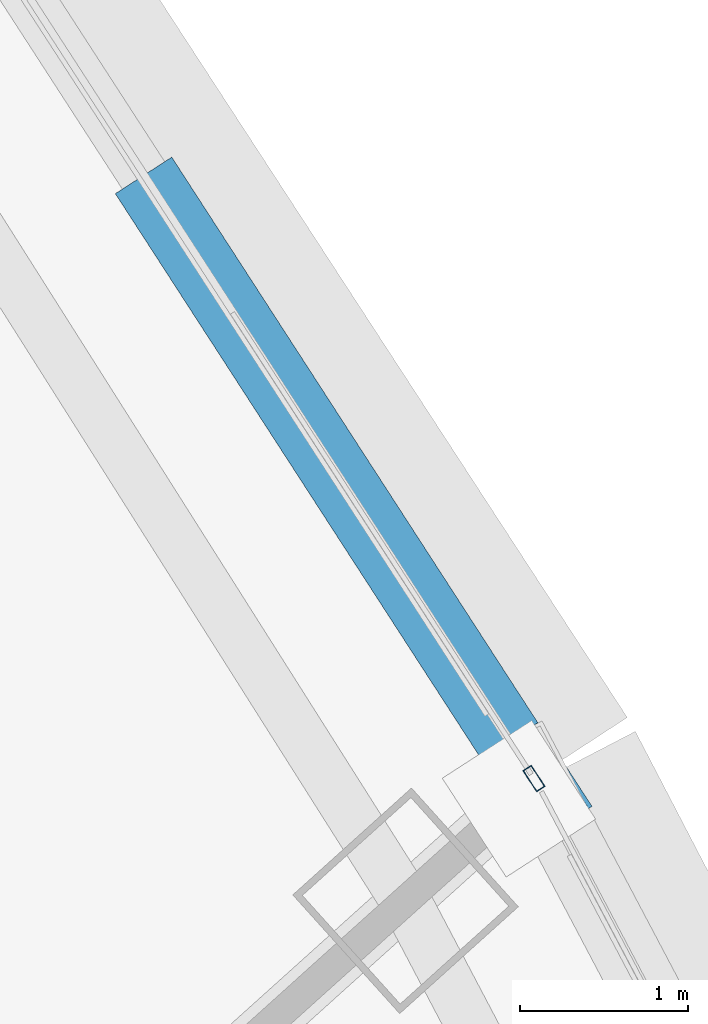
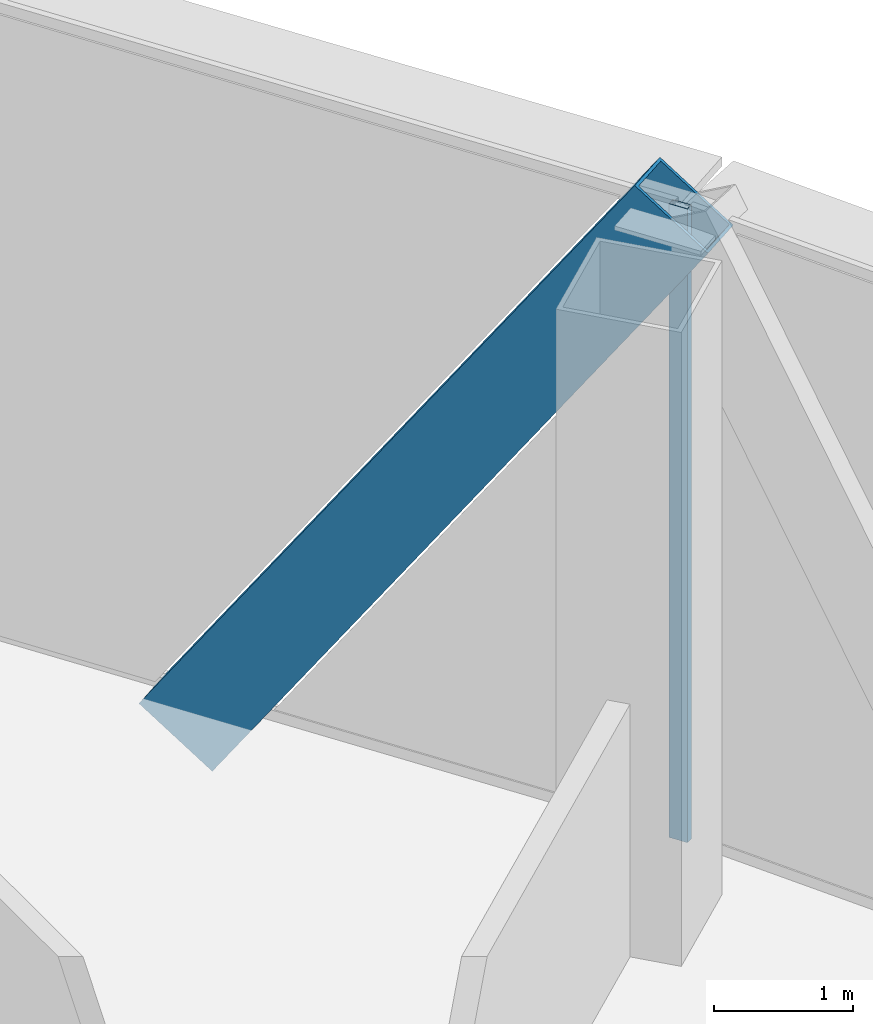
# One storey, part 20 of 40: 2 members, 1 element without a shape of its own.
"""IFC4 building model written with IfcOpenShell, lengths in metres."""

from ifc_helpers import new_model, si_unit, direction, frame, origin, origin_2d, place, context, subcontext, project, spatial, hollow_rectangle, extrude, source, transform, mapped, material, layer, layer_set, material_profile, profile_set, type_object, element, aggregate, save


model = new_model("IFC4")

# Units and contexts
model_context = context("Model", 3, precision=1e-05, world=origin(), true_north=direction((0.0, 1.0)))
body_context = subcontext(model_context, "Body", "Model", "MODEL_VIEW")
ifc_project = project(units=[si_unit("LENGTHUNIT", "METRE"), si_unit("AREAUNIT", "SQUARE_METRE"), si_unit("VOLUMEUNIT", "CUBIC_METRE"), si_unit("PLANEANGLEUNIT", "RADIAN"), si_unit("MASSUNIT", "GRAM", prefix="KILO"), si_unit("THERMODYNAMICTEMPERATUREUNIT", "KELVIN"), si_unit("POWERUNIT", "WATT")], contexts=[model_context])

# Site, building, storey
site_placement = place(None, origin())
site = spatial("IfcSite", under=ifc_project, at=site_placement, CompositionType="ELEMENT")
building_placement = place(site_placement, origin())
building = spatial("IfcBuilding", under=site, at=building_placement, Name="Yunzhuo Pagoda Commons", CompositionType="ELEMENT")
storey_placement = place(building_placement, frame((0.0, 0.0, 170.31005859375)))
storey = spatial("IfcBuildingStorey", under=building, at=storey_placement, Name="L43", CompositionType="ELEMENT", Elevation=170.31005859375)

# Member
ifc_material_1 = material(Name="Structural steel Q355B", Category="steel")
ifc_material_profile_1 = material_profile(ifc_material_1, hollow_rectangle(XDim=0.39990234375, YDim=0.719970703125, WallThickness=0.02392578125, at=origin_2d()), Name="Structural steel Q355B")
ifc_profile_set_1 = profile_set([ifc_material_profile_1], Name="Structural steel Q355B")
member_type_1 = type_object("IfcMemberType", Name="M-DL2 Brace BOX 720x400x24", PredefinedType="BRACE", material=ifc_profile_set_1)
shared_shape_1 = source(origin(), body_context, "Body", "SweptSolid", [
    extrude(hollow_rectangle(XDim=0.39990234375, YDim=0.719970703125, WallThickness=0.02392578125, at=origin_2d()), origin(), (0.0, 0.0, 1.0), 7.074951171875),
])
member_1_placement = place(storey_placement, frame((70.3681640625, 59.166748046875, -0.260009765625), z_axis=(0.30787860019, -0.475621020669, 0.824011779189), x_axis=(0.839470464787, 0.54340531719, 0.0)))
element("IfcMember", 1, at=member_1_placement, inside=storey, type_object=member_type_1, Name="L43 facade diamond brace F2.3L", PredefinedType="BRACE", context=body_context, shape_type="MappedRepresentation", body=[
    mapped(shared_shape_1, transform((0.0, 0.0, 0.0), scale=1.0)),
])

# Curtain wall, member
ifc_material_2 = material(Name="Anodized aluminium 6063-T6", Category="aluminium")
ifc_layer = layer(ifc_material_2, 0.14990234375)
ifc_layer_set = layer_set([ifc_layer], Name="Anodized aluminium 6063-T6")
curtain_wall_type = type_object("IfcCurtainWallType", Name="CW-MID Mid-Zone Ribbon Curtain Wall", PredefinedType="NOTDEFINED", material=ifc_layer_set)
curtain_wall_placement = place(storey_placement, origin())
curtain_wall = element("IfcCurtainWall", 2, at=curtain_wall_placement, inside=storey, type_object=curtain_wall_type, Name="L43 curtain wall CW-L43-F2B4", PredefinedType="NOTDEFINED")
ifc_material_profile_2 = material_profile(ifc_material_2, hollow_rectangle(XDim=0.06005859375, YDim=0.14990234375, WallThickness=0.00390625, at=origin_2d()), Name="Anodized aluminium 6063-T6")
ifc_profile_set_2 = profile_set([ifc_material_profile_2], Name="Anodized aluminium 6063-T6")
member_type_2 = type_object("IfcMemberType", Name="CW-MID-M Mullion RHS 150x60x4", PredefinedType="MULLION", material=ifc_profile_set_2)
shared_shape_2 = source(origin(), body_context, "Body", "SweptSolid", [
    extrude(hollow_rectangle(XDim=0.06005859375, YDim=0.14990234375, WallThickness=0.00390625, at=origin_2d()), origin(), (0.0, 0.0, 1.0), 5.56982421875),
])
member_2_placement = place(storey_placement, frame((72.530029296875, 55.826904296875, 0.0), z_axis=(0.0, 0.0, 1.0), x_axis=(-0.839466065689, -0.543412113002, 0.0)))
member_2 = element("IfcMember", 3, at=member_2_placement, type_object=member_type_2, Name="CW mullion 1", PredefinedType="MULLION", context=body_context, shape_type="MappedRepresentation", body=[
    mapped(shared_shape_2, transform((0.0, 0.0, 0.0), scale=1.0)),
])
aggregate(curtain_wall, [member_2])

save(model, "model.ifc")
